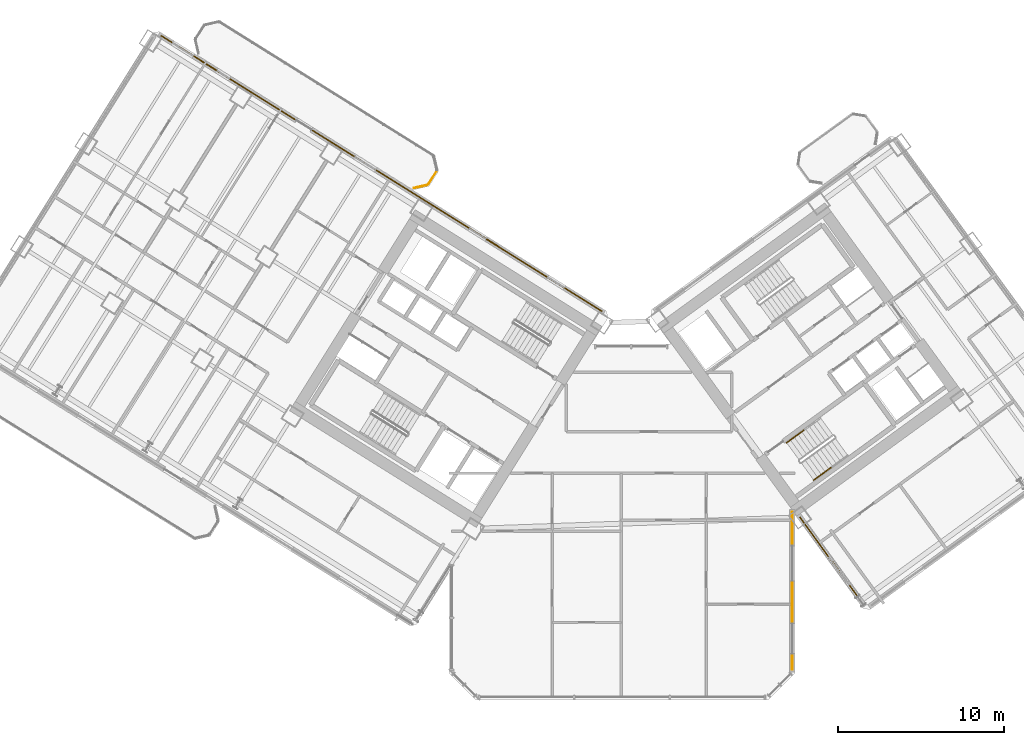
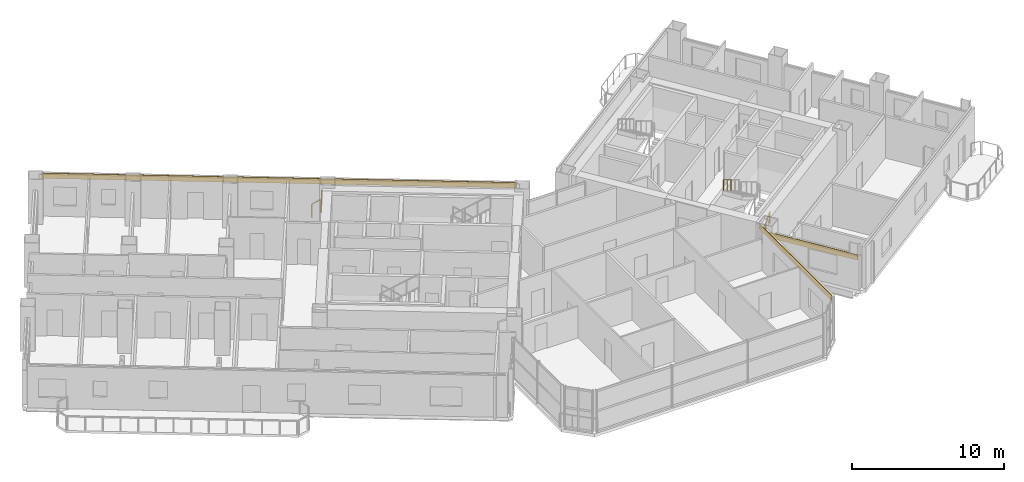
# One storey, part 25 of 28: 4 railings, 3 coverings.
"""IFC4 building model written with IfcOpenShell, lengths in metres."""

from ifc_helpers import new_model, si_unit, direction, frame, origin, origin_2d, place, context, subcontext, project, spatial, rectangle, extrude, source, transform, mapped, material, layer, layer_set, type_object, element, save


model = new_model("IFC4")

# Units and contexts
model_context = context("Model", 3, precision=1e-05, world=origin(), true_north=direction((0.0, 1.0)))
body_context = subcontext(model_context, "Body", "Model", "MODEL_VIEW")
ifc_project = project(units=[si_unit("LENGTHUNIT", "METRE"), si_unit("AREAUNIT", "SQUARE_METRE"), si_unit("VOLUMEUNIT", "CUBIC_METRE"), si_unit("PLANEANGLEUNIT", "RADIAN"), si_unit("MASSUNIT", "GRAM", prefix="KILO")], contexts=[model_context])

# Site, building, storey
site_placement = place(None, origin())
site = spatial("IfcSite", under=ifc_project, at=site_placement, CompositionType="ELEMENT")
building_placement = place(site_placement, origin())
building = spatial("IfcBuilding", under=site, at=building_placement, Name="Tlacorven Tower", CompositionType="ELEMENT")
storey_placement = place(building_placement, frame((0.0, 0.0, 56.39990234375)))
storey = spatial("IfcBuildingStorey", under=building, at=storey_placement, Name="L14", CompositionType="ELEMENT", Elevation=56.39990234375)

# Railings
ifc_material_1 = material(Name="Aluminium and painted steel balustrade", Category="steel")
railing_type_1 = type_object("IfcRailingType", Name="RL-BAL-1100", PredefinedType="BALUSTRADE", material=ifc_material_1)
shared_shape_1 = source(origin(), body_context, "Body", "SweptSolid", [
    extrude(rectangle(XDim=0.048095703125, YDim=0.048095703125, at=origin_2d()), frame((0.0, 0.0, 1.076171875), z_axis=(-0.52987865805, -0.848073468364, 0.0), x_axis=(0.848073468364, -0.52987865805, 0.0)), (0.0, 0.0, 1.0), 0.912353515625),
    extrude(rectangle(XDim=0.0419921875, YDim=0.0419921875, at=origin_2d()), origin(), (0.0, 0.0, 1.0), 1.052001953125),
    extrude(rectangle(XDim=0.0419921875, YDim=0.0419921875, at=origin_2d()), frame((-0.4833984375, -0.773681640625, 0.0)), (0.0, 0.0, 1.0), 1.052001953125),
])
railing_1_placement = place(storey_placement, frame((30.845947265625, 33.588623046875, 0.0)))
element("IfcRailing", 1, at=railing_1_placement, inside=storey, type_object=railing_type_1, Name="BAL-L14-W-IN Guard Railing 2", PredefinedType="BALUSTRADE", context=body_context, shape_type="MappedRepresentation", body=[
    mapped(shared_shape_1, transform((0.0, 0.0, 0.0), scale=1.0)),
])
shared_shape_2 = source(origin(), body_context, "Body", "SweptSolid", [
    extrude(rectangle(XDim=0.048095703125, YDim=0.048095703125, at=origin_2d()), frame((0.0, 0.0, 1.076171875), z_axis=(-0.974345290916, -0.225058334816, 0.0), x_axis=(0.225058334816, -0.974345290916, 0.0)), (0.0, 0.0, 1.0), 0.80712890625),
    extrude(rectangle(XDim=0.0419921875, YDim=0.0419921875, at=origin_2d()), origin(), (0.0, 0.0, 1.0), 1.052001953125),
    extrude(rectangle(XDim=0.0419921875, YDim=0.0419921875, at=origin_2d()), frame((-0.786376953125, -0.181640625, 0.0)), (0.0, 0.0, 1.0), 1.052001953125),
])
railing_2_placement = place(storey_placement, frame((30.287353515625, 32.761474609375, 0.0)))
element("IfcRailing", 2, at=railing_2_placement, inside=storey, type_object=railing_type_1, Name="BAL-L14-W-IN Guard Railing 3", PredefinedType="BALUSTRADE", context=body_context, shape_type="MappedRepresentation", body=[
    mapped(shared_shape_2, transform((0.0, 0.0, 0.0), scale=1.0)),
])

# Coverings
ifc_material_2 = material(Name="Precast concrete C45/55", Category="concrete")
ifc_layer = layer(ifc_material_2, 0.06005859375)
ifc_layer_set = layer_set([ifc_layer], Name="Precast concrete C45/55")
covering_type = type_object("IfcCoveringType", Name="CV-CLD-TERC", PredefinedType="CLADDING", material=ifc_layer_set)
shared_shape_3 = source(origin(), body_context, "Body", "SweptSolid", [
    extrude(rectangle(XDim=31.287353515625, YDim=0.06005859375, at=origin_2d()), origin(), (0.0, 0.0, 1.0), 0.419921875),
])
covering_1_placement = place(storey_placement, frame((27.5322265625, 33.455810546875, 2.93017578125), z_axis=(0.0, 0.0, 1.0), x_axis=(0.84804812172, -0.529919223323, 0.0)))
element("IfcCovering", 3, at=covering_1_placement, inside=storey, type_object=covering_type, Name="L14 Masonry-Frame Spandrel Cladding 3", PredefinedType="CLADDING", context=body_context, shape_type="MappedRepresentation", body=[
    mapped(shared_shape_3, transform((0.0, 0.0, 0.0), scale=1.0)),
])
shared_shape_4 = source(origin(), body_context, "Body", "SweptSolid", [
    extrude(rectangle(XDim=6.4736328125, YDim=0.06005859375, at=origin_2d()), origin(), (0.0, 0.0, 1.0), 0.419921875),
])
covering_2_placement = place(storey_placement, frame((54.59033203125, 10.178955078125, 2.30517578125), z_axis=(0.0, 0.0, 1.0), x_axis=(-0.587785622053, 0.809016725728, 0.0)))
element("IfcCovering", 4, at=covering_2_placement, inside=storey, type_object=covering_type, Name="L14 Masonry-Frame Spandrel Cladding 7", PredefinedType="CLADDING", context=body_context, shape_type="MappedRepresentation", body=[
    mapped(shared_shape_4, transform((0.0, 0.0, 0.0), scale=1.0)),
])
shared_shape_5 = source(origin(), body_context, "Body", "SweptSolid", [
    extrude(rectangle(XDim=9.49462890625, YDim=0.06005859375, at=origin_2d()), origin(), (0.0, 0.0, 1.0), 0.419921875),
])
covering_3_placement = place(storey_placement, frame((52.239990234375, 8.363525390625, 2.93017578125), z_axis=(0.0, 0.0, 1.0), x_axis=(0.0, -1.0, 0.0)))
element("IfcCovering", 5, at=covering_3_placement, inside=storey, type_object=covering_type, Name="L14 Masonry-Frame Spandrel Cladding 8", PredefinedType="CLADDING", context=body_context, shape_type="MappedRepresentation", body=[
    mapped(shared_shape_5, transform((0.0, 0.0, 0.0), scale=1.0)),
])

# Railings
railing_type_2 = type_object("IfcRailingType", Name="RL-HND-0900", PredefinedType="HANDRAIL", material=ifc_material_1)
shared_shape_6 = source(origin(), body_context, "Body", "SweptSolid", [
    extrude(rectangle(XDim=0.048095703125, YDim=0.048095703125, at=origin_2d()), frame((0.0, 0.0, 0.8759765625), z_axis=(-0.680461216233, -0.494495647917, 0.540783309093), x_axis=(0.587872112667, -0.808953879494, 0.0)), (0.0, 0.0, 1.0), 1.498046875),
    extrude(rectangle(XDim=0.0419921875, YDim=0.0419921875, at=origin_2d()), origin(), (0.0, 0.0, 1.0), 0.851806640625),
    extrude(rectangle(XDim=0.0419921875, YDim=0.0419921875, at=origin_2d()), frame((-0.509765625, -0.370361328125, 0.405029296875)), (0.0, 0.0, 1.0), 0.851806640625),
    extrude(rectangle(XDim=0.0419921875, YDim=0.0419921875, at=origin_2d()), frame((-1.019287109375, -0.74072265625, 0.81005859375)), (0.0, 0.0, 1.0), 0.851806640625),
])
railing_3_placement = place(storey_placement, frame((52.9189453125, 18.0087890625, 2.7900390625)))
element("IfcRailing", 6, at=railing_3_placement, inside=storey, type_object=railing_type_2, Name="L14 ST-E2 stair handrail 4", PredefinedType="HANDRAIL", context=body_context, shape_type="MappedRepresentation", body=[
    mapped(shared_shape_6, transform((0.0, 0.0, 0.0), scale=1.0)),
])
shared_shape_7 = source(origin(), body_context, "Body", "SweptSolid", [
    extrude(rectangle(XDim=0.048095703125, YDim=0.048095703125, at=origin_2d()), frame((0.0, 0.0, 0.8759765625), z_axis=(0.680521190579, 0.494539231669, 0.540667973449), x_axis=(-0.587872112667, 0.808953879494, 0.0)), (0.0, 0.0, 1.0), 1.497802734375),
    extrude(rectangle(XDim=0.0419921875, YDim=0.0419921875, at=origin_2d()), origin(), (0.0, 0.0, 1.0), 0.851806640625),
    extrude(rectangle(XDim=0.0419921875, YDim=0.0419921875, at=origin_2d()), frame((0.509765625, 0.370361328125, 0.40478515625)), (0.0, 0.0, 1.0), 0.851806640625),
    extrude(rectangle(XDim=0.0419921875, YDim=0.0419921875, at=origin_2d()), frame((1.019287109375, 0.74072265625, 0.809814453125)), (0.0, 0.0, 1.0), 0.851806640625),
])
railing_4_placement = place(storey_placement, frame((53.53369140625, 15.01904296875, 0.18017578125)))
element("IfcRailing", 7, at=railing_4_placement, inside=storey, type_object=railing_type_2, Name="L14 ST-E2 stair handrail 1", PredefinedType="HANDRAIL", context=body_context, shape_type="MappedRepresentation", body=[
    mapped(shared_shape_7, transform((0.0, 0.0, 0.0), scale=1.0)),
])

save(model, "model.ifc")
